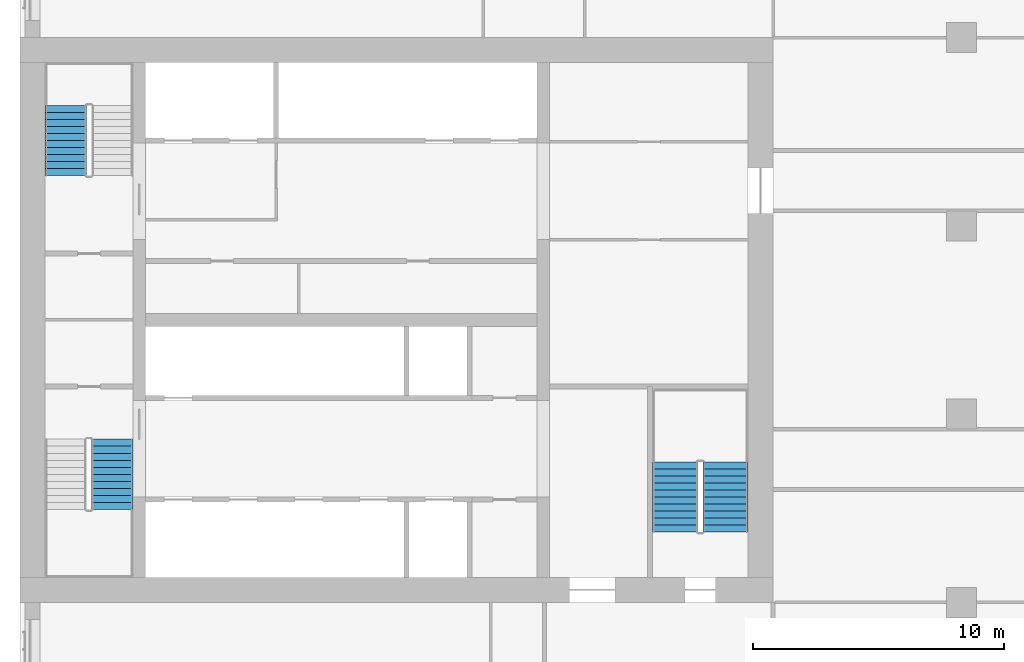
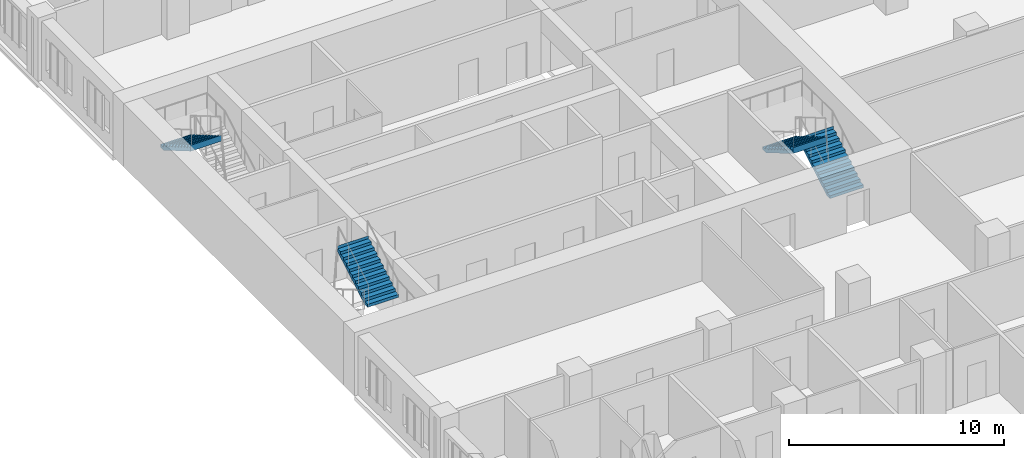
# One storey, part 12 of 14: 4 stair flights, 3 elements without a shape of their own.
"""IFC4 building model written with IfcOpenShell, lengths in metres."""

from ifc_helpers import new_model, si_unit, direction, frame, origin, place, context, subcontext, project, spatial, polyline, outline, extrude, material, type_object, element, aggregate, save


model = new_model("IFC4")

# Units and contexts
model_context = context("Model", 3, precision=1e-05, world=origin(), true_north=direction((0.0, 1.0)))
body_context = subcontext(model_context, "Body", "Model", "MODEL_VIEW")
ifc_project = project(units=[si_unit("LENGTHUNIT", "METRE"), si_unit("AREAUNIT", "SQUARE_METRE"), si_unit("VOLUMEUNIT", "CUBIC_METRE"), si_unit("PLANEANGLEUNIT", "RADIAN"), si_unit("MASSUNIT", "GRAM", prefix="KILO")], contexts=[model_context])

# Site, building, storey
site_placement = place(None, origin())
site = spatial("IfcSite", under=ifc_project, at=site_placement, CompositionType="ELEMENT")
building_placement = place(site_placement, origin())
building = spatial("IfcBuilding", under=site, at=building_placement, Name="Tamorin Gate", CompositionType="ELEMENT")
storey_placement = place(building_placement, frame((0.0, 0.0, 52.0)))
storey = spatial("IfcBuildingStorey", under=building, at=storey_placement, Name="L11", CompositionType="ELEMENT", Elevation=52.0)

# Stair, stair flight
ifc_material = material(Name="Concrete C40/50", Category="concrete")
stair_type = type_object("IfcStairType", Name="Exit stair", PredefinedType="HALF_TURN_STAIR", material=ifc_material)
stair_1_placement = place(storey_placement, origin())
stair_1 = element("IfcStair", 1, at=stair_1_placement, inside=storey, type_object=stair_type, Name="L11 stair ST1", PredefinedType="HALF_TURN_STAIR")
stair_flight_type = type_object("IfcStairFlightType", Name="Exit stair flight", PredefinedType="STRAIGHT", material=ifc_material)
stair_flight_1_placement = place(storey_placement, frame((33.675048828125, 63.699951171875, 1.800048828125), z_axis=(0.0, 0.0, 1.0), x_axis=(0.0, 1.0, 0.0)))
stair_flight_1 = element("IfcStairFlight", 2, at=stair_flight_1_placement, type_object=stair_flight_type, Name="ST1 flight 2", NumberOfRisers=11, NumberOfTreads=10, PredefinedType="STRAIGHT", RiserHeight=0.163636364, TreadLength=0.28, context=body_context, shape_type="SweptSolid", body=[
    extrude(outline(polyline([(-0.00048828125, 0.0), (-0.00048828125, 0.001708984375), (-0.00048828125, 0.003173828125), (-0.00048828125, 0.0048828125), (-0.00048828125, 0.006591796875), (-0.00048828125, 0.008056640625), (-0.00048828125, 0.009765625), (-0.00048828125, 0.01123046875), (-0.00048828125, 0.012939453125), (-0.00048828125, 0.0146484375), (-0.00048828125, 0.01611328125), (-0.00048828125, 0.017822265625), (-0.00048828125, 0.01953125), (-0.00048828125, 0.02099609375), (-0.00048828125, 0.022705078125), (-0.00048828125, 0.0244140625), (-0.00048828125, 0.02587890625), (-0.00048828125, 0.027587890625), (-0.00048828125, 0.029052734375), (-0.00048828125, 0.03076171875), (-0.00048828125, 0.032470703125), (-0.00048828125, 0.033935546875), (-0.00048828125, 0.03564453125), (-0.00048828125, 0.037353515625), (-0.00048828125, 0.038818359375), (-0.00048828125, 0.04052734375), (-0.00048828125, 0.042236328125), (-0.00048828125, 0.043701171875), (-0.00048828125, 0.04541015625), (-0.00048828125, 0.046875), (-0.00048828125, 0.048583984375), (-0.00048828125, 0.05029296875), (-0.00048828125, 0.0517578125), (-0.00048828125, 0.053466796875), (-0.00048828125, 0.05517578125), (-0.00048828125, 0.056640625), (-0.00048828125, 0.058349609375), (-0.00048828125, 0.06005859375), (-0.00048828125, 0.0615234375), (-0.00048828125, 0.063232421875), (-0.00048828125, 0.064697265625), (-0.00048828125, 0.06640625), (-0.00048828125, 0.068115234375), (-0.00048828125, 0.069580078125), (-0.00048828125, 0.0712890625), (-0.00048828125, 0.072998046875), (-0.00048828125, 0.074462890625), (-0.00048828125, 0.076171875), (-0.00048828125, 0.077880859375), (-0.00048828125, 0.079345703125), (-0.00048828125, 0.0810546875), (-0.00048828125, 0.08251953125), (-0.00048828125, 0.084228515625), (-0.00048828125, 0.0859375), (-0.00048828125, 0.08740234375), (-0.00048828125, 0.089111328125), (-0.00048828125, 0.0908203125), (-0.00048828125, 0.09228515625), (-0.00048828125, 0.093994140625), (-0.00048828125, 0.095703125), (-0.00048828125, 0.09716796875), (-0.00048828125, 0.098876953125), (-0.00048828125, 0.100341796875), (-0.00048828125, 0.10205078125), (-0.00048828125, 0.103759765625), (-0.00048828125, 0.105224609375), (-0.00048828125, 0.10693359375), (-0.00048828125, 0.108642578125), (-0.00048828125, 0.110107421875), (-0.00048828125, 0.11181640625), (-0.00048828125, 0.113525390625), (-0.00048828125, 0.114990234375), (-0.00048828125, 0.11669921875), (-0.00048828125, 0.1181640625), (-0.00048828125, 0.119873046875), (-0.00048828125, 0.12158203125), (-0.00048828125, 0.123046875), (-0.00048828125, 0.124755859375), (-0.00048828125, 0.12646484375), (-0.00048828125, 0.1279296875), (-0.00048828125, 0.129638671875), (-0.00048828125, 0.13134765625), (-0.00048828125, 0.1328125), (-0.00048828125, 0.134521484375), (-0.00048828125, 0.135986328125), (-0.00048828125, 0.1376953125), (-0.00048828125, 0.139404296875), (-0.00048828125, 0.140869140625), (-0.00048828125, 0.142578125), (-0.00048828125, 0.144287109375), (-0.00048828125, 0.145751953125), (-0.00048828125, 0.1474609375), (-0.00048828125, 0.149169921875), (-0.00048828125, 0.150634765625), (-0.00048828125, 0.15234375), (-0.00048828125, 0.15380859375), (-0.00048828125, 0.155517578125), (-0.00048828125, 0.1572265625), (-0.00048828125, 0.15869140625), (-0.00048828125, 0.160400390625), (-0.00048828125, 0.162109375), (-0.00048828125, 0.16357421875), (0.280029296875, 0.16357421875), (0.280029296875, 0.327392578125), (0.56005859375, 0.327392578125), (0.56005859375, 0.490966796875), (0.840087890625, 0.490966796875), (0.840087890625, 0.654541015625), (1.1201171875, 0.654541015625), (1.1201171875, 0.818115234375), (1.39990234375, 0.818115234375), (1.39990234375, 0.98193359375), (1.679931640625, 0.98193359375), (1.679931640625, 1.1455078125), (1.9599609375, 1.1455078125), (1.9599609375, 1.30908203125), (2.239990234375, 1.30908203125), (2.239990234375, 1.47265625), (2.52001953125, 1.47265625), (2.52001953125, 1.636474609375), (2.800048828125, 1.636474609375), (2.800048828125, 1.800048828125), (2.800537109375, 1.800048828125), (2.800537109375, 1.796630859375), (2.800537109375, 1.793212890625), (2.800537109375, 1.7900390625), (2.800537109375, 1.78662109375), (2.800537109375, 1.783203125), (2.800537109375, 1.780029296875), (2.800537109375, 1.776611328125), (2.800537109375, 1.773193359375), (2.800537109375, 1.77001953125), (2.800537109375, 1.7666015625), (2.800537109375, 1.76318359375), (2.800537109375, 1.760009765625), (2.800537109375, 1.756591796875), (2.800537109375, 1.753173828125), (2.800537109375, 1.75), (2.800537109375, 1.74658203125), (2.800537109375, 1.7431640625), (2.800537109375, 1.739990234375), (2.800537109375, 1.736572265625), (2.800537109375, 1.733154296875), (2.800537109375, 1.72998046875), (2.800537109375, 1.7265625), (2.800537109375, 1.72314453125), (2.800537109375, 1.719970703125), (2.800537109375, 1.716552734375), (2.800537109375, 1.713134765625), (2.800537109375, 1.7099609375), (2.800537109375, 1.70654296875), (2.800537109375, 1.703125), (2.800537109375, 1.69970703125), (2.800537109375, 1.696533203125), (2.800537109375, 1.693115234375), (2.800537109375, 1.689697265625), (2.800537109375, 1.6865234375), (2.800537109375, 1.68310546875), (2.800537109375, 1.6796875), (2.800537109375, 1.676513671875), (2.800537109375, 1.673095703125), (2.800537109375, 1.669677734375), (2.800537109375, 1.66650390625), (2.800537109375, 1.6630859375), (2.800537109375, 1.65966796875), (2.800537109375, 1.656494140625), (2.800537109375, 1.653076171875), (2.800537109375, 1.649658203125), (2.800537109375, 1.646484375), (2.800537109375, 1.64306640625), (2.800537109375, 1.6396484375), (2.800537109375, 1.636474609375), (2.800537109375, 1.633056640625), (2.800537109375, 1.629638671875), (2.800537109375, 1.62646484375), (2.800537109375, 1.623046875), (2.800537109375, 1.61962890625), (2.800537109375, 1.616455078125), (2.800537109375, 1.613037109375), (2.800537109375, 1.609619140625), (2.800537109375, 1.6064453125), (2.800537109375, 1.60302734375), (2.800537109375, 1.599609375), (2.800537109375, 1.59619140625), (2.800537109375, 1.593017578125), (2.800537109375, 1.589599609375), (2.800537109375, 1.586181640625), (2.800537109375, 1.5830078125), (2.800537109375, 1.57958984375), (2.800537109375, 1.576171875), (2.800537109375, 1.572998046875), (2.800537109375, 1.569580078125), (2.800537109375, 1.566162109375), (2.800537109375, 1.56298828125), (2.800537109375, 1.5595703125), (2.800537109375, 1.55615234375), (2.800537109375, 1.552978515625), (2.800537109375, 1.549560546875), (2.800537109375, 1.546142578125), (2.800537109375, 1.54296875), (2.800537109375, 1.53955078125), (2.800537109375, 1.5361328125), (2.800537109375, 1.532958984375), (2.800537109375, 1.529541015625), (2.800537109375, 1.526123046875), (2.800537109375, 1.52294921875), (2.800537109375, 1.51953125), (2.800537109375, 1.51611328125), (2.800537109375, 1.512939453125), (2.800537109375, 1.509521484375), (2.800537109375, 1.506103515625), (2.800537109375, 1.5029296875), (2.800537109375, 1.49951171875), (2.800537109375, 1.49609375), (2.800537109375, 1.49267578125), (2.800537109375, 1.489501953125), (2.800537109375, 1.486083984375), (2.800537109375, 1.482666015625), (2.800537109375, 1.4794921875), (2.800537109375, 1.47607421875), (2.800537109375, 1.47265625), (2.800537109375, 1.469482421875), (2.800537109375, 1.466064453125), (2.800537109375, 1.462646484375), (2.800048828125, 1.462646484375), (0.297119140625, 0.0), (-0.00048828125, 0.0)])), frame((0.0, 0.824951171875, 0.0), z_axis=(0.0, -1.0, 0.0), x_axis=(1.0, 0.0, 0.0)), (0.0, 0.0, 1.0), 1.64990234375),
])
aggregate(stair_1, [stair_flight_1])

stair_2_placement = place(storey_placement, origin())
stair_2 = element("IfcStair", 3, at=stair_2_placement, inside=storey, type_object=stair_type, Name="L11 stair ST2", PredefinedType="HALF_TURN_STAIR")
stair_flight_2_placement = place(storey_placement, frame((31.824951171875, 79.800048828125, 1.800048828125), z_axis=(0.0, 0.0, 1.0), x_axis=(0.0, -1.0, 0.0)))
stair_flight_2 = element("IfcStairFlight", 4, at=stair_flight_2_placement, type_object=stair_flight_type, Name="ST2 flight 2", NumberOfRisers=11, NumberOfTreads=10, PredefinedType="STRAIGHT", RiserHeight=0.163636364, TreadLength=0.28, context=body_context, shape_type="SweptSolid", body=[
    extrude(outline(polyline([(-0.00048828125, 0.0), (-0.00048828125, 0.001708984375), (-0.00048828125, 0.003173828125), (-0.00048828125, 0.0048828125), (-0.00048828125, 0.006591796875), (-0.00048828125, 0.008056640625), (-0.00048828125, 0.009765625), (-0.00048828125, 0.01123046875), (-0.00048828125, 0.012939453125), (-0.00048828125, 0.0146484375), (-0.00048828125, 0.01611328125), (-0.00048828125, 0.017822265625), (-0.00048828125, 0.01953125), (-0.00048828125, 0.02099609375), (-0.00048828125, 0.022705078125), (-0.00048828125, 0.0244140625), (-0.00048828125, 0.02587890625), (-0.00048828125, 0.027587890625), (-0.00048828125, 0.029052734375), (-0.00048828125, 0.03076171875), (-0.00048828125, 0.032470703125), (-0.00048828125, 0.033935546875), (-0.00048828125, 0.03564453125), (-0.00048828125, 0.037353515625), (-0.00048828125, 0.038818359375), (-0.00048828125, 0.04052734375), (-0.00048828125, 0.042236328125), (-0.00048828125, 0.043701171875), (-0.00048828125, 0.04541015625), (-0.00048828125, 0.046875), (-0.00048828125, 0.048583984375), (-0.00048828125, 0.05029296875), (-0.00048828125, 0.0517578125), (-0.00048828125, 0.053466796875), (-0.00048828125, 0.05517578125), (-0.00048828125, 0.056640625), (-0.00048828125, 0.058349609375), (-0.00048828125, 0.06005859375), (-0.00048828125, 0.0615234375), (-0.00048828125, 0.063232421875), (-0.00048828125, 0.064697265625), (-0.00048828125, 0.06640625), (-0.00048828125, 0.068115234375), (-0.00048828125, 0.069580078125), (-0.00048828125, 0.0712890625), (-0.00048828125, 0.072998046875), (-0.00048828125, 0.074462890625), (-0.00048828125, 0.076171875), (-0.00048828125, 0.077880859375), (-0.00048828125, 0.079345703125), (-0.00048828125, 0.0810546875), (-0.00048828125, 0.08251953125), (-0.00048828125, 0.084228515625), (-0.00048828125, 0.0859375), (-0.00048828125, 0.08740234375), (-0.00048828125, 0.089111328125), (-0.00048828125, 0.0908203125), (-0.00048828125, 0.09228515625), (-0.00048828125, 0.093994140625), (-0.00048828125, 0.095703125), (-0.00048828125, 0.09716796875), (-0.00048828125, 0.098876953125), (-0.00048828125, 0.100341796875), (-0.00048828125, 0.10205078125), (-0.00048828125, 0.103759765625), (-0.00048828125, 0.105224609375), (-0.00048828125, 0.10693359375), (-0.00048828125, 0.108642578125), (-0.00048828125, 0.110107421875), (-0.00048828125, 0.11181640625), (-0.00048828125, 0.113525390625), (-0.00048828125, 0.114990234375), (-0.00048828125, 0.11669921875), (-0.00048828125, 0.1181640625), (-0.00048828125, 0.119873046875), (-0.00048828125, 0.12158203125), (-0.00048828125, 0.123046875), (-0.00048828125, 0.124755859375), (-0.00048828125, 0.12646484375), (-0.00048828125, 0.1279296875), (-0.00048828125, 0.129638671875), (-0.00048828125, 0.13134765625), (-0.00048828125, 0.1328125), (-0.00048828125, 0.134521484375), (-0.00048828125, 0.135986328125), (-0.00048828125, 0.1376953125), (-0.00048828125, 0.139404296875), (-0.00048828125, 0.140869140625), (-0.00048828125, 0.142578125), (-0.00048828125, 0.144287109375), (-0.00048828125, 0.145751953125), (-0.00048828125, 0.1474609375), (-0.00048828125, 0.149169921875), (-0.00048828125, 0.150634765625), (-0.00048828125, 0.15234375), (-0.00048828125, 0.15380859375), (-0.00048828125, 0.155517578125), (-0.00048828125, 0.1572265625), (-0.00048828125, 0.15869140625), (-0.00048828125, 0.160400390625), (-0.00048828125, 0.162109375), (-0.00048828125, 0.16357421875), (0.280029296875, 0.16357421875), (0.280029296875, 0.327392578125), (0.56005859375, 0.327392578125), (0.56005859375, 0.490966796875), (0.840087890625, 0.490966796875), (0.840087890625, 0.654541015625), (1.1201171875, 0.654541015625), (1.1201171875, 0.818115234375), (1.39990234375, 0.818115234375), (1.39990234375, 0.98193359375), (1.679931640625, 0.98193359375), (1.679931640625, 1.1455078125), (1.9599609375, 1.1455078125), (1.9599609375, 1.30908203125), (2.239990234375, 1.30908203125), (2.239990234375, 1.47265625), (2.52001953125, 1.47265625), (2.52001953125, 1.636474609375), (2.800048828125, 1.636474609375), (2.800048828125, 1.800048828125), (2.800537109375, 1.800048828125), (2.800537109375, 1.796630859375), (2.800537109375, 1.793212890625), (2.800537109375, 1.7900390625), (2.800537109375, 1.78662109375), (2.800537109375, 1.783203125), (2.800537109375, 1.780029296875), (2.800537109375, 1.776611328125), (2.800537109375, 1.773193359375), (2.800537109375, 1.77001953125), (2.800537109375, 1.7666015625), (2.800537109375, 1.76318359375), (2.800537109375, 1.760009765625), (2.800537109375, 1.756591796875), (2.800537109375, 1.753173828125), (2.800537109375, 1.75), (2.800537109375, 1.74658203125), (2.800537109375, 1.7431640625), (2.800537109375, 1.739990234375), (2.800537109375, 1.736572265625), (2.800537109375, 1.733154296875), (2.800537109375, 1.72998046875), (2.800537109375, 1.7265625), (2.800537109375, 1.72314453125), (2.800537109375, 1.719970703125), (2.800537109375, 1.716552734375), (2.800537109375, 1.713134765625), (2.800537109375, 1.7099609375), (2.800537109375, 1.70654296875), (2.800537109375, 1.703125), (2.800537109375, 1.69970703125), (2.800537109375, 1.696533203125), (2.800537109375, 1.693115234375), (2.800537109375, 1.689697265625), (2.800537109375, 1.6865234375), (2.800537109375, 1.68310546875), (2.800537109375, 1.6796875), (2.800537109375, 1.676513671875), (2.800537109375, 1.673095703125), (2.800537109375, 1.669677734375), (2.800537109375, 1.66650390625), (2.800537109375, 1.6630859375), (2.800537109375, 1.65966796875), (2.800537109375, 1.656494140625), (2.800537109375, 1.653076171875), (2.800537109375, 1.649658203125), (2.800537109375, 1.646484375), (2.800537109375, 1.64306640625), (2.800537109375, 1.6396484375), (2.800537109375, 1.636474609375), (2.800537109375, 1.633056640625), (2.800537109375, 1.629638671875), (2.800537109375, 1.62646484375), (2.800537109375, 1.623046875), (2.800537109375, 1.61962890625), (2.800537109375, 1.616455078125), (2.800537109375, 1.613037109375), (2.800537109375, 1.609619140625), (2.800537109375, 1.6064453125), (2.800537109375, 1.60302734375), (2.800537109375, 1.599609375), (2.800537109375, 1.59619140625), (2.800537109375, 1.593017578125), (2.800537109375, 1.589599609375), (2.800537109375, 1.586181640625), (2.800537109375, 1.5830078125), (2.800537109375, 1.57958984375), (2.800537109375, 1.576171875), (2.800537109375, 1.572998046875), (2.800537109375, 1.569580078125), (2.800537109375, 1.566162109375), (2.800537109375, 1.56298828125), (2.800537109375, 1.5595703125), (2.800537109375, 1.55615234375), (2.800537109375, 1.552978515625), (2.800537109375, 1.549560546875), (2.800537109375, 1.546142578125), (2.800537109375, 1.54296875), (2.800537109375, 1.53955078125), (2.800537109375, 1.5361328125), (2.800537109375, 1.532958984375), (2.800537109375, 1.529541015625), (2.800537109375, 1.526123046875), (2.800537109375, 1.52294921875), (2.800537109375, 1.51953125), (2.800537109375, 1.51611328125), (2.800537109375, 1.512939453125), (2.800537109375, 1.509521484375), (2.800537109375, 1.506103515625), (2.800537109375, 1.5029296875), (2.800537109375, 1.49951171875), (2.800537109375, 1.49609375), (2.800537109375, 1.49267578125), (2.800537109375, 1.489501953125), (2.800537109375, 1.486083984375), (2.800537109375, 1.482666015625), (2.800537109375, 1.4794921875), (2.800537109375, 1.47607421875), (2.800537109375, 1.47265625), (2.800537109375, 1.469482421875), (2.800537109375, 1.466064453125), (2.800537109375, 1.462646484375), (2.800048828125, 1.462646484375), (0.297119140625, 0.0), (-0.00048828125, 0.0)])), frame((0.0, 0.824951171875, 0.0), z_axis=(0.0, -1.0, 0.0), x_axis=(1.0, 0.0, 0.0)), (0.0, 0.0, 1.0), 1.64990234375),
])
aggregate(stair_2, [stair_flight_2])

# Stair, stair flights
stair_3_placement = place(storey_placement, origin())
stair_3 = element("IfcStair", 5, at=stair_3_placement, inside=storey, type_object=stair_type, Name="L11 stair ST3", PredefinedType="HALF_TURN_STAIR")
stair_flight_3_placement = place(storey_placement, frame((58.10009765625, 62.800048828125, 0.0), z_axis=(0.0, 0.0, 1.0), x_axis=(0.0, 1.0, 0.0)))
stair_flight_3 = element("IfcStairFlight", 6, at=stair_flight_3_placement, type_object=stair_flight_type, Name="ST3 flight 1", NumberOfRisers=11, NumberOfTreads=10, PredefinedType="STRAIGHT", RiserHeight=0.163636364, TreadLength=0.28, context=body_context, shape_type="SweptSolid", body=[
    extrude(outline(polyline([(-0.00048828125, 0.0), (-0.00048828125, 0.001708984375), (-0.00048828125, 0.003173828125), (-0.00048828125, 0.0048828125), (-0.00048828125, 0.006591796875), (-0.00048828125, 0.008056640625), (-0.00048828125, 0.009765625), (-0.00048828125, 0.01123046875), (-0.00048828125, 0.012939453125), (-0.00048828125, 0.0146484375), (-0.00048828125, 0.01611328125), (-0.00048828125, 0.017822265625), (-0.00048828125, 0.01953125), (-0.00048828125, 0.02099609375), (-0.00048828125, 0.022705078125), (-0.00048828125, 0.0244140625), (-0.00048828125, 0.02587890625), (-0.00048828125, 0.027587890625), (-0.00048828125, 0.029052734375), (-0.00048828125, 0.03076171875), (-0.00048828125, 0.032470703125), (-0.00048828125, 0.033935546875), (-0.00048828125, 0.03564453125), (-0.00048828125, 0.037353515625), (-0.00048828125, 0.038818359375), (-0.00048828125, 0.04052734375), (-0.00048828125, 0.042236328125), (-0.00048828125, 0.043701171875), (-0.00048828125, 0.04541015625), (-0.00048828125, 0.046875), (-0.00048828125, 0.048583984375), (-0.00048828125, 0.05029296875), (-0.00048828125, 0.0517578125), (-0.00048828125, 0.053466796875), (-0.00048828125, 0.05517578125), (-0.00048828125, 0.056640625), (-0.00048828125, 0.058349609375), (-0.00048828125, 0.06005859375), (-0.00048828125, 0.0615234375), (-0.00048828125, 0.063232421875), (-0.00048828125, 0.064697265625), (-0.00048828125, 0.06640625), (-0.00048828125, 0.068115234375), (-0.00048828125, 0.069580078125), (-0.00048828125, 0.0712890625), (-0.00048828125, 0.072998046875), (-0.00048828125, 0.074462890625), (-0.00048828125, 0.076171875), (-0.00048828125, 0.077880859375), (-0.00048828125, 0.079345703125), (-0.00048828125, 0.0810546875), (-0.00048828125, 0.08251953125), (-0.00048828125, 0.084228515625), (-0.00048828125, 0.0859375), (-0.00048828125, 0.08740234375), (-0.00048828125, 0.089111328125), (-0.00048828125, 0.0908203125), (-0.00048828125, 0.09228515625), (-0.00048828125, 0.093994140625), (-0.00048828125, 0.095703125), (-0.00048828125, 0.09716796875), (-0.00048828125, 0.098876953125), (-0.00048828125, 0.100341796875), (-0.00048828125, 0.10205078125), (-0.00048828125, 0.103759765625), (-0.00048828125, 0.105224609375), (-0.00048828125, 0.10693359375), (-0.00048828125, 0.108642578125), (-0.00048828125, 0.110107421875), (-0.00048828125, 0.11181640625), (-0.00048828125, 0.113525390625), (-0.00048828125, 0.114990234375), (-0.00048828125, 0.11669921875), (-0.00048828125, 0.1181640625), (-0.00048828125, 0.119873046875), (-0.00048828125, 0.12158203125), (-0.00048828125, 0.123046875), (-0.00048828125, 0.124755859375), (-0.00048828125, 0.12646484375), (-0.00048828125, 0.1279296875), (-0.00048828125, 0.129638671875), (-0.00048828125, 0.13134765625), (-0.00048828125, 0.1328125), (-0.00048828125, 0.134521484375), (-0.00048828125, 0.135986328125), (-0.00048828125, 0.1376953125), (-0.00048828125, 0.139404296875), (-0.00048828125, 0.140869140625), (-0.00048828125, 0.142578125), (-0.00048828125, 0.144287109375), (-0.00048828125, 0.145751953125), (-0.00048828125, 0.1474609375), (-0.00048828125, 0.149169921875), (-0.00048828125, 0.150634765625), (-0.00048828125, 0.15234375), (-0.00048828125, 0.15380859375), (-0.00048828125, 0.155517578125), (-0.00048828125, 0.1572265625), (-0.00048828125, 0.15869140625), (-0.00048828125, 0.160400390625), (-0.00048828125, 0.162109375), (-0.00048828125, 0.16357421875), (0.280029296875, 0.16357421875), (0.280029296875, 0.327392578125), (0.56005859375, 0.327392578125), (0.56005859375, 0.490966796875), (0.840087890625, 0.490966796875), (0.840087890625, 0.654541015625), (1.1201171875, 0.654541015625), (1.1201171875, 0.818115234375), (1.39990234375, 0.818115234375), (1.39990234375, 0.98193359375), (1.679931640625, 0.98193359375), (1.679931640625, 1.1455078125), (1.9599609375, 1.1455078125), (1.9599609375, 1.30908203125), (2.239990234375, 1.30908203125), (2.239990234375, 1.47265625), (2.52001953125, 1.47265625), (2.52001953125, 1.636474609375), (2.800048828125, 1.636474609375), (2.800048828125, 1.800048828125), (2.800537109375, 1.800048828125), (2.800537109375, 1.796630859375), (2.800537109375, 1.793212890625), (2.800537109375, 1.7900390625), (2.800537109375, 1.78662109375), (2.800537109375, 1.783203125), (2.800537109375, 1.780029296875), (2.800537109375, 1.776611328125), (2.800537109375, 1.773193359375), (2.800537109375, 1.77001953125), (2.800537109375, 1.7666015625), (2.800537109375, 1.76318359375), (2.800537109375, 1.760009765625), (2.800537109375, 1.756591796875), (2.800537109375, 1.753173828125), (2.800537109375, 1.75), (2.800537109375, 1.74658203125), (2.800537109375, 1.7431640625), (2.800537109375, 1.739990234375), (2.800537109375, 1.736572265625), (2.800537109375, 1.733154296875), (2.800537109375, 1.72998046875), (2.800537109375, 1.7265625), (2.800537109375, 1.72314453125), (2.800537109375, 1.719970703125), (2.800537109375, 1.716552734375), (2.800537109375, 1.713134765625), (2.800537109375, 1.7099609375), (2.800537109375, 1.70654296875), (2.800537109375, 1.703125), (2.800537109375, 1.69970703125), (2.800537109375, 1.696533203125), (2.800537109375, 1.693115234375), (2.800537109375, 1.689697265625), (2.800537109375, 1.6865234375), (2.800537109375, 1.68310546875), (2.800537109375, 1.6796875), (2.800537109375, 1.676513671875), (2.800537109375, 1.673095703125), (2.800537109375, 1.669677734375), (2.800537109375, 1.66650390625), (2.800537109375, 1.6630859375), (2.800537109375, 1.65966796875), (2.800537109375, 1.656494140625), (2.800537109375, 1.653076171875), (2.800537109375, 1.649658203125), (2.800537109375, 1.646484375), (2.800537109375, 1.64306640625), (2.800537109375, 1.6396484375), (2.800537109375, 1.636474609375), (2.800537109375, 1.633056640625), (2.800537109375, 1.629638671875), (2.800537109375, 1.62646484375), (2.800537109375, 1.623046875), (2.800537109375, 1.61962890625), (2.800537109375, 1.616455078125), (2.800537109375, 1.613037109375), (2.800537109375, 1.609619140625), (2.800537109375, 1.6064453125), (2.800537109375, 1.60302734375), (2.800537109375, 1.599609375), (2.800537109375, 1.59619140625), (2.800537109375, 1.593017578125), (2.800537109375, 1.589599609375), (2.800537109375, 1.586181640625), (2.800537109375, 1.5830078125), (2.800537109375, 1.57958984375), (2.800537109375, 1.576171875), (2.800537109375, 1.572998046875), (2.800537109375, 1.569580078125), (2.800537109375, 1.566162109375), (2.800537109375, 1.56298828125), (2.800537109375, 1.5595703125), (2.800537109375, 1.55615234375), (2.800537109375, 1.552978515625), (2.800537109375, 1.549560546875), (2.800537109375, 1.546142578125), (2.800537109375, 1.54296875), (2.800537109375, 1.53955078125), (2.800537109375, 1.5361328125), (2.800537109375, 1.532958984375), (2.800537109375, 1.529541015625), (2.800537109375, 1.526123046875), (2.800537109375, 1.52294921875), (2.800537109375, 1.51953125), (2.800537109375, 1.51611328125), (2.800537109375, 1.512939453125), (2.800537109375, 1.509521484375), (2.800537109375, 1.506103515625), (2.800537109375, 1.5029296875), (2.800537109375, 1.49951171875), (2.800537109375, 1.49609375), (2.800537109375, 1.49267578125), (2.800537109375, 1.489501953125), (2.800537109375, 1.486083984375), (2.800537109375, 1.482666015625), (2.800537109375, 1.4794921875), (2.800537109375, 1.47607421875), (2.800537109375, 1.47265625), (2.800537109375, 1.469482421875), (2.800537109375, 1.466064453125), (2.800537109375, 1.462646484375), (2.800048828125, 1.462646484375), (0.297119140625, 0.0), (-0.00048828125, 0.0)])), frame((0.0, 0.89990234375, 0.0), z_axis=(0.0, -1.0, 0.0), x_axis=(1.0, 0.0, 0.0)), (0.0, 0.0, 1.0), 1.800048828125),
])
stair_flight_4_placement = place(storey_placement, frame((56.10009765625, 65.60009765625, 1.800048828125), z_axis=(0.0, 0.0, 1.0), x_axis=(0.0, -1.0, 0.0)))
stair_flight_4 = element("IfcStairFlight", 7, at=stair_flight_4_placement, type_object=stair_flight_type, Name="ST3 flight 2", NumberOfRisers=11, NumberOfTreads=10, PredefinedType="STRAIGHT", RiserHeight=0.163636364, TreadLength=0.28, context=body_context, shape_type="SweptSolid", body=[
    extrude(outline(polyline([(-0.00048828125, 0.0), (-0.00048828125, 0.001708984375), (-0.00048828125, 0.003173828125), (-0.00048828125, 0.0048828125), (-0.00048828125, 0.006591796875), (-0.00048828125, 0.008056640625), (-0.00048828125, 0.009765625), (-0.00048828125, 0.01123046875), (-0.00048828125, 0.012939453125), (-0.00048828125, 0.0146484375), (-0.00048828125, 0.01611328125), (-0.00048828125, 0.017822265625), (-0.00048828125, 0.01953125), (-0.00048828125, 0.02099609375), (-0.00048828125, 0.022705078125), (-0.00048828125, 0.0244140625), (-0.00048828125, 0.02587890625), (-0.00048828125, 0.027587890625), (-0.00048828125, 0.029052734375), (-0.00048828125, 0.03076171875), (-0.00048828125, 0.032470703125), (-0.00048828125, 0.033935546875), (-0.00048828125, 0.03564453125), (-0.00048828125, 0.037353515625), (-0.00048828125, 0.038818359375), (-0.00048828125, 0.04052734375), (-0.00048828125, 0.042236328125), (-0.00048828125, 0.043701171875), (-0.00048828125, 0.04541015625), (-0.00048828125, 0.046875), (-0.00048828125, 0.048583984375), (-0.00048828125, 0.05029296875), (-0.00048828125, 0.0517578125), (-0.00048828125, 0.053466796875), (-0.00048828125, 0.05517578125), (-0.00048828125, 0.056640625), (-0.00048828125, 0.058349609375), (-0.00048828125, 0.06005859375), (-0.00048828125, 0.0615234375), (-0.00048828125, 0.063232421875), (-0.00048828125, 0.064697265625), (-0.00048828125, 0.06640625), (-0.00048828125, 0.068115234375), (-0.00048828125, 0.069580078125), (-0.00048828125, 0.0712890625), (-0.00048828125, 0.072998046875), (-0.00048828125, 0.074462890625), (-0.00048828125, 0.076171875), (-0.00048828125, 0.077880859375), (-0.00048828125, 0.079345703125), (-0.00048828125, 0.0810546875), (-0.00048828125, 0.08251953125), (-0.00048828125, 0.084228515625), (-0.00048828125, 0.0859375), (-0.00048828125, 0.08740234375), (-0.00048828125, 0.089111328125), (-0.00048828125, 0.0908203125), (-0.00048828125, 0.09228515625), (-0.00048828125, 0.093994140625), (-0.00048828125, 0.095703125), (-0.00048828125, 0.09716796875), (-0.00048828125, 0.098876953125), (-0.00048828125, 0.100341796875), (-0.00048828125, 0.10205078125), (-0.00048828125, 0.103759765625), (-0.00048828125, 0.105224609375), (-0.00048828125, 0.10693359375), (-0.00048828125, 0.108642578125), (-0.00048828125, 0.110107421875), (-0.00048828125, 0.11181640625), (-0.00048828125, 0.113525390625), (-0.00048828125, 0.114990234375), (-0.00048828125, 0.11669921875), (-0.00048828125, 0.1181640625), (-0.00048828125, 0.119873046875), (-0.00048828125, 0.12158203125), (-0.00048828125, 0.123046875), (-0.00048828125, 0.124755859375), (-0.00048828125, 0.12646484375), (-0.00048828125, 0.1279296875), (-0.00048828125, 0.129638671875), (-0.00048828125, 0.13134765625), (-0.00048828125, 0.1328125), (-0.00048828125, 0.134521484375), (-0.00048828125, 0.135986328125), (-0.00048828125, 0.1376953125), (-0.00048828125, 0.139404296875), (-0.00048828125, 0.140869140625), (-0.00048828125, 0.142578125), (-0.00048828125, 0.144287109375), (-0.00048828125, 0.145751953125), (-0.00048828125, 0.1474609375), (-0.00048828125, 0.149169921875), (-0.00048828125, 0.150634765625), (-0.00048828125, 0.15234375), (-0.00048828125, 0.15380859375), (-0.00048828125, 0.155517578125), (-0.00048828125, 0.1572265625), (-0.00048828125, 0.15869140625), (-0.00048828125, 0.160400390625), (-0.00048828125, 0.162109375), (-0.00048828125, 0.16357421875), (0.280029296875, 0.16357421875), (0.280029296875, 0.327392578125), (0.56005859375, 0.327392578125), (0.56005859375, 0.490966796875), (0.840087890625, 0.490966796875), (0.840087890625, 0.654541015625), (1.1201171875, 0.654541015625), (1.1201171875, 0.818115234375), (1.39990234375, 0.818115234375), (1.39990234375, 0.98193359375), (1.679931640625, 0.98193359375), (1.679931640625, 1.1455078125), (1.9599609375, 1.1455078125), (1.9599609375, 1.30908203125), (2.239990234375, 1.30908203125), (2.239990234375, 1.47265625), (2.52001953125, 1.47265625), (2.52001953125, 1.636474609375), (2.800048828125, 1.636474609375), (2.800048828125, 1.800048828125), (2.800537109375, 1.800048828125), (2.800537109375, 1.796630859375), (2.800537109375, 1.793212890625), (2.800537109375, 1.7900390625), (2.800537109375, 1.78662109375), (2.800537109375, 1.783203125), (2.800537109375, 1.780029296875), (2.800537109375, 1.776611328125), (2.800537109375, 1.773193359375), (2.800537109375, 1.77001953125), (2.800537109375, 1.7666015625), (2.800537109375, 1.76318359375), (2.800537109375, 1.760009765625), (2.800537109375, 1.756591796875), (2.800537109375, 1.753173828125), (2.800537109375, 1.75), (2.800537109375, 1.74658203125), (2.800537109375, 1.7431640625), (2.800537109375, 1.739990234375), (2.800537109375, 1.736572265625), (2.800537109375, 1.733154296875), (2.800537109375, 1.72998046875), (2.800537109375, 1.7265625), (2.800537109375, 1.72314453125), (2.800537109375, 1.719970703125), (2.800537109375, 1.716552734375), (2.800537109375, 1.713134765625), (2.800537109375, 1.7099609375), (2.800537109375, 1.70654296875), (2.800537109375, 1.703125), (2.800537109375, 1.69970703125), (2.800537109375, 1.696533203125), (2.800537109375, 1.693115234375), (2.800537109375, 1.689697265625), (2.800537109375, 1.6865234375), (2.800537109375, 1.68310546875), (2.800537109375, 1.6796875), (2.800537109375, 1.676513671875), (2.800537109375, 1.673095703125), (2.800537109375, 1.669677734375), (2.800537109375, 1.66650390625), (2.800537109375, 1.6630859375), (2.800537109375, 1.65966796875), (2.800537109375, 1.656494140625), (2.800537109375, 1.653076171875), (2.800537109375, 1.649658203125), (2.800537109375, 1.646484375), (2.800537109375, 1.64306640625), (2.800537109375, 1.6396484375), (2.800537109375, 1.636474609375), (2.800537109375, 1.633056640625), (2.800537109375, 1.629638671875), (2.800537109375, 1.62646484375), (2.800537109375, 1.623046875), (2.800537109375, 1.61962890625), (2.800537109375, 1.616455078125), (2.800537109375, 1.613037109375), (2.800537109375, 1.609619140625), (2.800537109375, 1.6064453125), (2.800537109375, 1.60302734375), (2.800537109375, 1.599609375), (2.800537109375, 1.59619140625), (2.800537109375, 1.593017578125), (2.800537109375, 1.589599609375), (2.800537109375, 1.586181640625), (2.800537109375, 1.5830078125), (2.800537109375, 1.57958984375), (2.800537109375, 1.576171875), (2.800537109375, 1.572998046875), (2.800537109375, 1.569580078125), (2.800537109375, 1.566162109375), (2.800537109375, 1.56298828125), (2.800537109375, 1.5595703125), (2.800537109375, 1.55615234375), (2.800537109375, 1.552978515625), (2.800537109375, 1.549560546875), (2.800537109375, 1.546142578125), (2.800537109375, 1.54296875), (2.800537109375, 1.53955078125), (2.800537109375, 1.5361328125), (2.800537109375, 1.532958984375), (2.800537109375, 1.529541015625), (2.800537109375, 1.526123046875), (2.800537109375, 1.52294921875), (2.800537109375, 1.51953125), (2.800537109375, 1.51611328125), (2.800537109375, 1.512939453125), (2.800537109375, 1.509521484375), (2.800537109375, 1.506103515625), (2.800537109375, 1.5029296875), (2.800537109375, 1.49951171875), (2.800537109375, 1.49609375), (2.800537109375, 1.49267578125), (2.800537109375, 1.489501953125), (2.800537109375, 1.486083984375), (2.800537109375, 1.482666015625), (2.800537109375, 1.4794921875), (2.800537109375, 1.47607421875), (2.800537109375, 1.47265625), (2.800537109375, 1.469482421875), (2.800537109375, 1.466064453125), (2.800537109375, 1.462646484375), (2.800048828125, 1.462646484375), (0.297119140625, 0.0), (-0.00048828125, 0.0)])), frame((0.0, 0.89990234375, 0.0), z_axis=(0.0, -1.0, 0.0), x_axis=(1.0, 0.0, 0.0)), (0.0, 0.0, 1.0), 1.800048828125),
])
aggregate(stair_3, [stair_flight_3, stair_flight_4])

save(model, "model.ifc")
